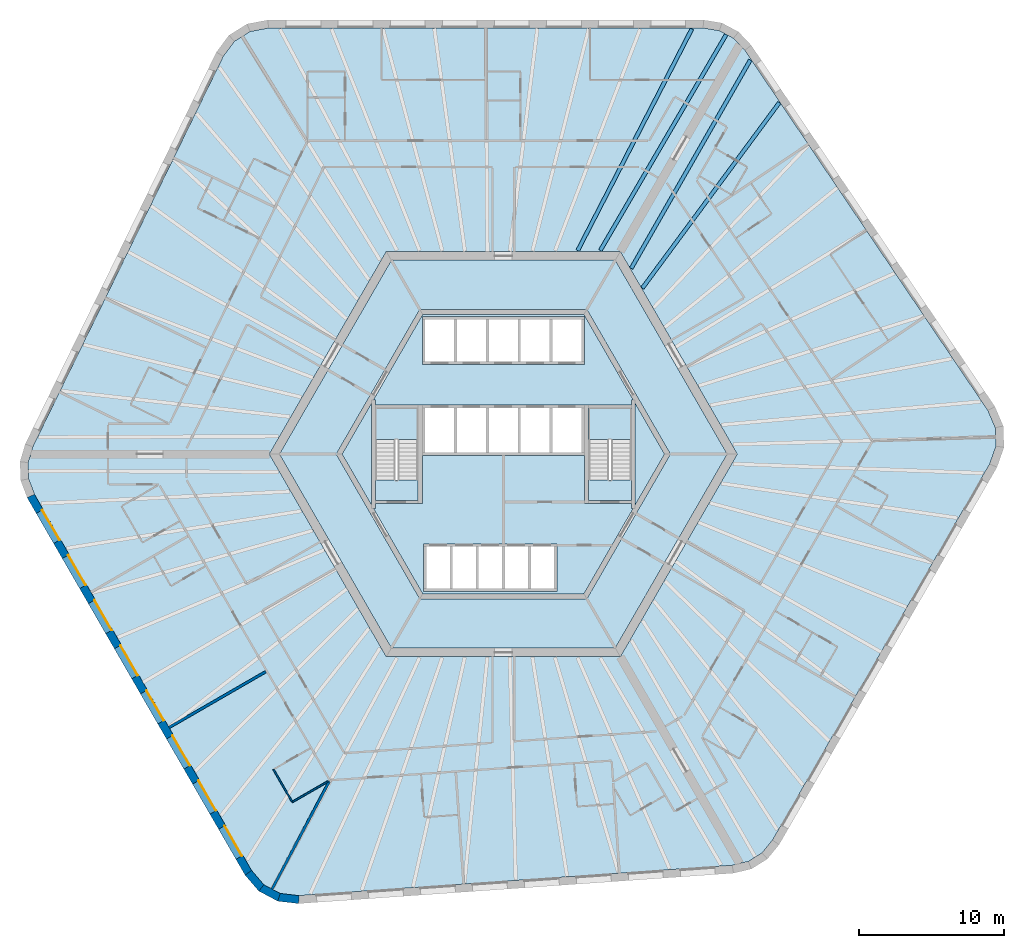
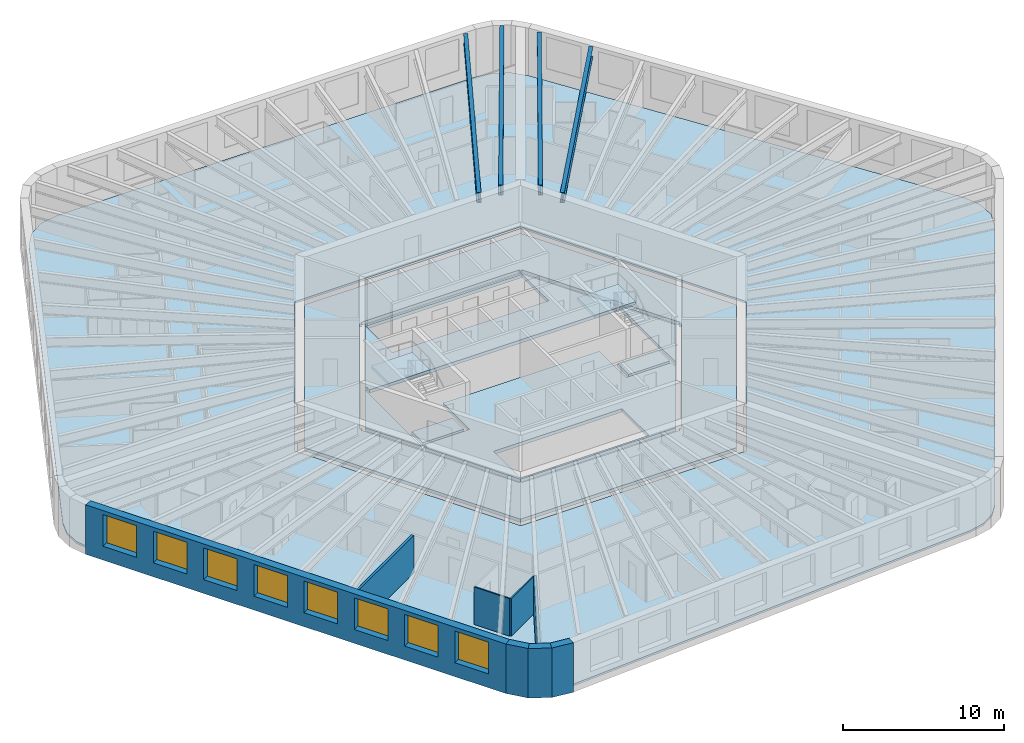
# One storey, part 2 of 12: 10 slabs, 8 walls, 8 windows, 4 beams, 8 openings, 2 elements without a shape of their own.
"""IFC4 building model written with IfcOpenShell, lengths in metres."""

from ifc_helpers import new_model, si_unit, direction, frame, frame_2d, origin, origin_2d, place, context, subcontext, project, spatial, polyline, rectangle, i_section, outline, extrude, material, layer, layer_set, material_profile, profile_set, type_object, element, fill, aggregate, save


model = new_model("IFC4")

# Units and contexts
model_context = context("Model", 3, precision=1e-05, world=origin(), true_north=direction((0.0, 1.0)))
body_context = subcontext(model_context, "Body", "Model", "MODEL_VIEW")
ifc_project = project(units=[si_unit("LENGTHUNIT", "METRE"), si_unit("AREAUNIT", "SQUARE_METRE"), si_unit("VOLUMEUNIT", "CUBIC_METRE"), si_unit("PLANEANGLEUNIT", "RADIAN"), si_unit("MASSUNIT", "GRAM", prefix="KILO")], contexts=[model_context])

# Site, building, storey
site_placement = place(None, origin())
site = spatial("IfcSite", under=ifc_project, at=site_placement, CompositionType="ELEMENT")
building_placement = place(site_placement, origin())
building = spatial("IfcBuilding", under=site, at=building_placement, Name="Tarnside Tower", CompositionType="ELEMENT")
storey_placement = place(building_placement, frame((0.0, 0.0, 142.800048828125)))
storey = spatial("IfcBuildingStorey", under=building, at=storey_placement, Name="L33", CompositionType="ELEMENT", Elevation=142.800048828125)

# Beams
ifc_material_1 = material(Name="Steel S355", Category="steel")
ifc_material_profile = material_profile(ifc_material_1, i_section(OverallWidth=0.2666015625, OverallDepth=0.76220703125, WebThickness=0.014404296875, FlangeThickness=0.021484375, FilletRadius=0.0166015625, at=origin_2d()), Name="UB 762x267x173")
ifc_profile_set = profile_set([ifc_material_profile], Name="Steel S355")
beam_type = type_object("IfcBeamType", Name="Floor beam UB 762x267x173", PredefinedType="BEAM", material=ifc_profile_set)
beam_1_placement = place(storey_placement, frame((13.0283203125, 29.37890625, 3.21875), z_axis=(-0.457973226459, -0.888965985765, 0.0), x_axis=(0.888965985765, -0.457973226459, 0.0)))
element("IfcBeam", 1, at=beam_1_placement, inside=storey, type_object=beam_type, Name="Floor beam F1.01", PredefinedType="BEAM", context=body_context, shape_type="SweptSolid", body=[
    extrude(i_section(OverallWidth=0.2666015625, OverallDepth=0.76220703125, WebThickness=0.014404296875, FlangeThickness=0.021484375, FilletRadius=0.0166015625, at=origin_2d()), origin(), (0.0, 0.0, 1.0), 17.219970703125),
])
beam_2_placement = place(storey_placement, frame((19.072021484375, 24.28857421875, 3.21875), z_axis=(-0.593986893499, -0.804474717037, 0.0), x_axis=(0.804474717037, -0.593986893499, 0.0)))
element("IfcBeam", 2, at=beam_2_placement, inside=storey, type_object=beam_type, Name="Floor beam F6.08", PredefinedType="BEAM", context=body_context, shape_type="SweptSolid", body=[
    extrude(i_section(OverallWidth=0.2666015625, OverallDepth=0.76220703125, WebThickness=0.014404296875, FlangeThickness=0.021484375, FilletRadius=0.0166015625, at=origin_2d()), origin(), (0.0, 0.0, 1.0), 15.934326171875),
])
beam_3_placement = place(storey_placement, frame((17.066162109375, 27.235107421875, 3.21875), z_axis=(-0.49622611841, -0.868193319145, 0.0), x_axis=(0.868193319145, -0.49622611841, 0.0)))
element("IfcBeam", 3, at=beam_3_placement, inside=storey, type_object=beam_type, Name="Floor beam F6.09", PredefinedType="BEAM", context=body_context, shape_type="SweptSolid", body=[
    extrude(i_section(OverallWidth=0.2666015625, OverallDepth=0.76220703125, WebThickness=0.014404296875, FlangeThickness=0.021484375, FilletRadius=0.0166015625, at=origin_2d()), origin(), (0.0, 0.0, 1.0), 16.586669921875),
])
beam_4_placement = place(storey_placement, frame((15.4013671875, 28.990478515625, 3.21875), z_axis=(-0.503858723096, -0.863786077198, 0.0), x_axis=(0.863786077198, -0.503858723096, 0.0)))
element("IfcBeam", 4, at=beam_4_placement, inside=storey, type_object=beam_type, Name="Floor beam C6", PredefinedType="BEAM", context=body_context, shape_type="SweptSolid", body=[
    extrude(i_section(OverallWidth=0.2666015625, OverallDepth=0.76220703125, WebThickness=0.014404296875, FlangeThickness=0.021484375, FilletRadius=0.0166015625, at=origin_2d()), origin(), (0.0, 0.0, 1.0), 17.2744140625),
])

# Slabs
ifc_material_2 = material(Name="Concrete C35/45", Category="concrete")
ifc_layer_1 = layer(ifc_material_2, 0.14990234375)
ifc_layer_set_1 = layer_set([ifc_layer_1], Name="Composite floor slab 150")
slab_type_1 = type_object("IfcSlabType", Name="Composite floor slab 150", PredefinedType="FLOOR", material=ifc_layer_set_1)
slab_1_placement = place(storey_placement, frame((0.0, 0.0, -0.150146484375)))
element("IfcSlab", 5, at=slab_1_placement, inside=storey, type_object=slab_type_1, Name="Floor slab L33", PredefinedType="FLOOR", context=body_context, shape_type="SweptSolid", body=[
    extrude(outline(polyline([(14.927490234375, 29.264892578125), (15.91455078125, 28.740234375), (16.697265625, 27.91064453125), (33.48583984375, 3.0205078125), (34.001220703125, 1.825439453125), (34.0458984375, 0.55078125), (33.614990234375, -0.67724609375), (18.603515625, -26.677978515625), (17.880615234375, -27.56005859375), (16.9326171875, -28.15234375), (15.82275390625, -28.41552734375), (-14.127197265625, -30.509765625), (-15.419921875, -30.358642578125), (-16.5458984375, -29.760009765625), (-17.39404296875, -28.772705078125), (-32.405517578125, -2.772216796875), (-32.80810546875, -1.704833984375), (-32.846923828125, -0.587890625), (-32.52001953125, 0.5048828125), (-19.358642578125, 27.4892578125), (-18.58154296875, 28.533203125), (-17.5, 29.208984375), (-16.220947265625, 29.449951171875), (13.802001953125, 29.449951171875), (14.927490234375, 29.264892578125)]), holes=[polyline([(-16.165771484375, 0.0), (-8.0830078125, -14.0), (8.0830078125, -14.0), (16.165771484375, 0.0), (8.0830078125, 14.0), (-8.0830078125, 14.0), (-16.165771484375, 0.0)])]), origin(), (0.0, 0.0, 1.0), 0.150146484375),
])
ifc_material_3 = material(Name="Concrete C40/50", Category="concrete")
ifc_layer_2 = layer(ifc_material_3, 0.25)
ifc_layer_set_2 = layer_set([ifc_layer_2], Name="Core slab C40/50")
slab_type_2 = type_object("IfcSlabType", Name="Core slab C40/50", PredefinedType="FLOOR", material=ifc_layer_set_2)
slab_2_placement = place(storey_placement, frame((0.0, 0.0, -0.25)))
element("IfcSlab", 6, at=slab_2_placement, inside=storey, type_object=slab_type_2, Name="L33 core floor slab 1", PredefinedType="FLOOR", context=body_context, shape_type="SweptSolid", body=[
    extrude(outline(polyline([(-15.472900390625, 0.0), (-7.736572265625, 13.39990234375), (7.736572265625, 13.39990234375), (15.472900390625, 0.0), (7.736572265625, -13.39990234375), (-7.736572265625, -13.39990234375), (-15.472900390625, 0.0)]), holes=[polyline([(5.823974609375, -9.91259765625), (11.49658203125, -0.08740234375), (11.344970703125, 0.0), (11.49658203125, 0.08740234375), (5.823974609375, 9.91259765625), (5.672607421875, 9.824951171875), (5.672607421875, 10.0), (-5.672607421875, 10.0), (-5.672607421875, 9.824951171875), (-5.823974609375, 9.91259765625), (-11.49658203125, 0.08740234375), (-11.344970703125, 0.0), (-11.49658203125, -0.08740234375), (-5.823974609375, -9.91259765625), (-5.672607421875, -9.824951171875), (-5.672607421875, -10.0), (5.672607421875, -10.0), (5.672607421875, -9.824951171875), (5.823974609375, -9.91259765625)])]), origin(), (0.0, 0.0, 1.0), 0.25),
])
slab_3_placement = place(storey_placement, frame((0.0, 0.0, -0.25)))
element("IfcSlab", 7, at=slab_3_placement, inside=storey, type_object=slab_type_2, Name="L33 core floor slab 2", PredefinedType="FLOOR", context=body_context, shape_type="SweptSolid", body=[
    extrude(outline(polyline([(-8.97509765625, 3.7548828125), (-5.5712890625, 9.64990234375), (5.5712890625, 9.64990234375), (8.97509765625, 3.7548828125), (8.85009765625, 3.7548828125), (8.85009765625, 3.39990234375), (5.89990234375, 3.39990234375), (5.60009765625, 3.39990234375), (5.60009765625, 3.39990234375), (-5.60009765625, 3.39990234375), (-5.89990234375, 3.39990234375), (-8.85009765625, 3.39990234375), (-8.85009765625, 3.7548828125), (-8.97509765625, 3.7548828125)]), holes=[polyline([(-5.60009765625, 6.199951171875), (5.60009765625, 6.199951171875), (5.60009765625, 6.39990234375), (5.60009765625, 9.300048828125), (5.60009765625, 9.5), (-5.60009765625, 9.5), (-5.60009765625, 9.300048828125), (-5.60009765625, 6.39990234375), (-5.60009765625, 6.199951171875)])]), origin(), (0.0, 0.0, 1.0), 0.25),
])
slab_4_placement = place(storey_placement, frame((0.0, 0.0, -0.25)))
element("IfcSlab", 8, at=slab_4_placement, inside=storey, type_object=slab_type_2, Name="L33 core floor slab 3", PredefinedType="FLOOR", context=body_context, shape_type="SweptSolid", body=[
    extrude(outline(polyline([(5.60009765625, -3.39990234375), (5.89990234375, -3.39990234375), (8.85009765625, -3.39990234375), (8.85009765625, -3.7548828125), (8.97509765625, -3.7548828125), (5.5712890625, -9.64990234375), (-5.5712890625, -9.64990234375), (-8.97509765625, -3.7548828125), (-8.85009765625, -3.7548828125), (-8.85009765625, -3.39990234375), (-5.89990234375, -3.39990234375), (-5.60009765625, -3.39990234375), (-5.60009765625, -0.10009765625), (5.60009765625, -0.10009765625), (5.60009765625, -3.39990234375)]), holes=[polyline([(-5.5, -9.300048828125), (-5.5, -9.5), (3.699951171875, -9.5), (3.699951171875, -9.300048828125), (3.699951171875, -6.39990234375), (3.699951171875, -6.199951171875), (-5.5, -6.199951171875), (-5.5, -6.39990234375), (-5.5, -9.300048828125)])]), origin(), (0.0, 0.0, 1.0), 0.25),
])
slab_5_placement = place(storey_placement, frame((0.0, 0.0, -0.25)))
element("IfcSlab", 9, at=slab_5_placement, inside=storey, type_object=slab_type_2, Name="L33 core floor slab 4", PredefinedType="FLOOR", context=body_context, shape_type="SweptSolid", body=[
    extrude(outline(polyline([(-11.142822265625, 0.0), (-9.10009765625, 3.538330078125), (-9.10009765625, -3.538330078125), (-11.142822265625, 0.0)])), origin(), (0.0, 0.0, 1.0), 0.25),
])
slab_6_placement = place(storey_placement, frame((0.0, 0.0, -0.25)))
element("IfcSlab", 10, at=slab_6_placement, inside=storey, type_object=slab_type_2, Name="L33 core floor slab 5", PredefinedType="FLOOR", context=body_context, shape_type="SweptSolid", body=[
    extrude(outline(polyline([(-8.85009765625, -1.800048828125), (-5.89990234375, -1.800048828125), (-5.89990234375, -3.199951171875), (-8.85009765625, -3.199951171875), (-8.85009765625, -1.800048828125)])), origin(), (0.0, 0.0, 1.0), 0.25),
])
slab_7_placement = place(storey_placement, frame((0.0, 0.0, -0.25)))
element("IfcSlab", 11, at=slab_7_placement, inside=storey, type_object=slab_type_2, Name="L33 core floor slab 6", PredefinedType="FLOOR", context=body_context, shape_type="SweptSolid", body=[
    extrude(outline(polyline([(5.89990234375, -3.199951171875), (5.89990234375, -1.800048828125), (8.85009765625, -1.800048828125), (8.85009765625, -3.199951171875), (5.89990234375, -3.199951171875)])), origin(), (0.0, 0.0, 1.0), 0.25),
])
slab_8_placement = place(storey_placement, frame((0.0, 0.0, -0.25)))
element("IfcSlab", 12, at=slab_8_placement, inside=storey, type_object=slab_type_2, Name="L33 core floor slab 7", PredefinedType="FLOOR", context=body_context, shape_type="SweptSolid", body=[
    extrude(outline(polyline([(9.10009765625, -3.538330078125), (9.10009765625, 3.538330078125), (11.142822265625, 0.0), (9.10009765625, -3.538330078125)])), origin(), (0.0, 0.0, 1.0), 0.25),
])

# Stair, slab
stair_type = type_object("IfcStairType", Name="Exit stair 1400 clear", PredefinedType="HALF_TURN_STAIR", material=ifc_material_3)
stair_1_placement = place(storey_placement, origin())
stair_1 = element("IfcStair", 13, at=stair_1_placement, inside=storey, type_object=stair_type, Name="L33 Exit stair 1", PredefinedType="HALF_TURN_STAIR")
ifc_layer_3 = layer(ifc_material_3, 0.199951171875)
ifc_layer_set_3 = layer_set([ifc_layer_3], Name="Stair landing 200 C40/50")
slab_type_3 = type_object("IfcSlabType", Name="Stair landing 200 C40/50", PredefinedType="LANDING", material=ifc_layer_set_3)
slab_9_placement = place(storey_placement, frame((0.0, 0.0, 1.75)))
slab_9 = element("IfcSlab", 14, at=slab_9_placement, type_object=slab_type_3, Name="ST1 landing 1", PredefinedType="LANDING", context=body_context, shape_type="SweptSolid", body=[
    extrude(outline(polyline([(8.85009765625, 1.0), (8.85009765625, 3.199951171875), (5.89990234375, 3.199951171875), (5.89990234375, 1.0), (8.85009765625, 1.0)])), origin(), (0.0, 0.0, 1.0), 0.199951171875),
])
aggregate(stair_1, [slab_9])

stair_2_placement = place(storey_placement, origin())
stair_2 = element("IfcStair", 15, at=stair_2_placement, inside=storey, type_object=stair_type, Name="L33 Exit stair 2", PredefinedType="HALF_TURN_STAIR")
slab_10_placement = place(storey_placement, frame((0.0, 0.0, 1.75)))
slab_10 = element("IfcSlab", 16, at=slab_10_placement, type_object=slab_type_3, Name="ST2 landing 1", PredefinedType="LANDING", context=body_context, shape_type="SweptSolid", body=[
    extrude(outline(polyline([(-5.89990234375, 1.0), (-5.89990234375, 3.199951171875), (-8.85009765625, 3.199951171875), (-8.85009765625, 1.0), (-5.89990234375, 1.0)])), origin(), (0.0, 0.0, 1.0), 0.199951171875),
])
aggregate(stair_2, [slab_10])

# Walls
ifc_material_4 = material(Name="Gypsum board partition on steel studs", Category="steel")
ifc_layer_4 = layer(ifc_material_4, 0.10009765625)
ifc_layer_set_4 = layer_set([ifc_layer_4], Name="Bathroom wall 100")
wall_type_1 = type_object("IfcWallType", Name="Bathroom wall 100", PredefinedType="PARTITIONING", material=ifc_layer_set_4)
wall_1_placement = place(storey_placement, frame((-12.13330078125, -22.62646484375, 0.0), z_axis=(0.0, 0.0, 1.0), x_axis=(-0.866014564827, -0.500018773155, 0.0)))
element("IfcWall", 17, at=wall_1_placement, inside=storey, type_object=wall_type_1, Name="Bathroom wall 10117", PredefinedType="PARTITIONING", context=body_context, shape_type="SweptSolid", body=[
    extrude(rectangle(XDim=2.8291015625, YDim=0.10009765625, at=frame_2d((1.41455078125, 0.0))), origin(), (0.0, 0.0, 1.0), 2.837646484375),
])
wall_2_placement = place(storey_placement, frame((-14.6083984375, -23.99755859375, 0.0), z_axis=(0.0, 0.0, 1.0), x_axis=(-0.499990435942, 0.866030925526, 0.0)))
element("IfcWall", 18, at=wall_2_placement, inside=storey, type_object=wall_type_1, Name="Bathroom wall 10118", PredefinedType="PARTITIONING", context=body_context, shape_type="SweptSolid", body=[
    extrude(rectangle(XDim=2.5498046875, YDim=0.10009765625, at=frame_2d((1.27490234375, 0.0))), origin(), (0.0, 0.0, 1.0), 2.837646484375),
])
ifc_layer_5 = layer(ifc_material_4, 0.179931640625)
ifc_layer_set_5 = layer_set([ifc_layer_5], Name="Demising wall 180 EI 60")
wall_type_2 = type_object("IfcWallType", Name="Demising wall 180 EI 60", PredefinedType="PARTITIONING", material=ifc_layer_set_5)
wall_3_placement = place(storey_placement, frame((-23.098876953125, -18.8916015625, 0.0), z_axis=(0.0, 0.0, 1.0), x_axis=(0.866019273868, 0.500010617176, 0.0)))
element("IfcWall", 19, at=wall_3_placement, inside=storey, type_object=wall_type_2, Name="Demising wall 10116", PredefinedType="PARTITIONING", context=body_context, shape_type="SweptSolid", body=[
    extrude(rectangle(XDim=7.724853515625, YDim=0.179931640625, at=frame_2d((3.8623046875, 0.0))), origin(), (0.0, 0.0, 1.0), 2.837646484375),
])
wall_4_placement = place(storey_placement, frame((-15.98291015625, -30.059326171875, 0.0), z_axis=(0.0, 0.0, 1.0), x_axis=(0.469475065364, 0.882945730496, 0.0)))
element("IfcWall", 20, at=wall_4_placement, inside=storey, type_object=wall_type_2, Name="Demising wall 10120", PredefinedType="PARTITIONING", context=body_context, shape_type="SweptSolid", body=[
    extrude(rectangle(XDim=8.426513671875, YDim=0.179931640625, at=frame_2d((4.21337890625, 0.0))), origin(), (0.0, 0.0, 1.0), 2.837646484375),
])

# Wall, openings, windows
ifc_material_5 = material(Name="Facing brick", Category="masonry")
ifc_layer_6 = layer(ifc_material_5, 0.10205078125)
ifc_material_6 = material(Name="Concrete C60/75 precast", Category="concrete")
ifc_layer_7 = layer(ifc_material_6, 0.347900390625)
ifc_material_7 = material(Name="Mineral wool insulation")
ifc_layer_8 = layer(ifc_material_7, 0.10009765625)
ifc_layer_set_6 = layer_set([ifc_layer_6, ifc_layer_7, ifc_layer_8], Name="Tube wall 550 brick faced")
wall_type_3 = type_object("IfcWallType", Name="Tube wall 550 brick faced", PredefinedType="SOLIDWALL", material=ifc_layer_set_6)
wall_5_placement = place(storey_placement, frame((-32.65478515625, -2.89013671875, -0.150146484375), z_axis=(0.0, 0.0, 1.0), x_axis=(0.499997711317, -0.866026725152, 0.0)))
wall_5 = element("IfcWall", 21, at=wall_5_placement, inside=storey, type_object=wall_type_3, Name="Tube wall L33 F3 flush 08", PredefinedType="SOLIDWALL", context=body_context, shape_type="SweptSolid", body=[
    extrude(outline(polyline([(-0.0224609375, -0.27490234375), (30.0966796875, -0.27490234375), (30.04541015625, 0.27490234375), (0.0224609375, 0.27490234375), (-0.0224609375, -0.27490234375)])), origin(), (0.0, 0.0, 1.0), 3.75),
])
opening_1_placement = place(wall_5_placement, frame((1.235595703125, 0.0, 1.050048828125)))
opening_1 = element("IfcOpeningElement", 22, at=opening_1_placement, cuts=wall_5, Name="Opening WH", PredefinedType="OPENING", context=body_context, shape_type="SweptSolid", body=[
    extrude(rectangle(XDim=2.39990234375, YDim=2.39990234375, at=frame_2d((1.199951171875, 1.199951171875))), frame((0.0, 0.28515625, 0.0), z_axis=(0.0, -1.0, 0.0), x_axis=(1.0, 0.0, 0.0)), (0.0, 0.0, 1.0), 0.570068359375),
])
opening_2_placement = place(wall_5_placement, frame((4.83544921875, 0.0, 1.050048828125)))
opening_2 = element("IfcOpeningElement", 23, at=opening_2_placement, cuts=wall_5, Name="Opening WH", PredefinedType="OPENING", context=body_context, shape_type="SweptSolid", body=[
    extrude(rectangle(XDim=2.39990234375, YDim=2.39990234375, at=frame_2d((1.199951171875, 1.199951171875))), frame((0.0, 0.28515625, 0.0), z_axis=(0.0, -1.0, 0.0), x_axis=(1.0, 0.0, 0.0)), (0.0, 0.0, 1.0), 0.570068359375),
])
opening_3_placement = place(wall_5_placement, frame((8.435546875, 0.0, 1.050048828125)))
opening_3 = element("IfcOpeningElement", 24, at=opening_3_placement, cuts=wall_5, Name="Opening WH", PredefinedType="OPENING", context=body_context, shape_type="SweptSolid", body=[
    extrude(rectangle(XDim=2.39990234375, YDim=2.39990234375, at=frame_2d((1.199951171875, 1.199951171875))), frame((0.0, 0.28515625, 0.0), z_axis=(0.0, -1.0, 0.0), x_axis=(1.0, 0.0, 0.0)), (0.0, 0.0, 1.0), 0.570068359375),
])
opening_4_placement = place(wall_5_placement, frame((12.035400390625, 0.0, 1.050048828125)))
opening_4 = element("IfcOpeningElement", 25, at=opening_4_placement, cuts=wall_5, Name="Opening WH", PredefinedType="OPENING", context=body_context, shape_type="SweptSolid", body=[
    extrude(rectangle(XDim=2.39990234375, YDim=2.39990234375, at=frame_2d((1.199951171875, 1.199951171875))), frame((0.0, 0.28515625, 0.0), z_axis=(0.0, -1.0, 0.0), x_axis=(1.0, 0.0, 0.0)), (0.0, 0.0, 1.0), 0.570068359375),
])
opening_5_placement = place(wall_5_placement, frame((15.635498046875, 0.0, 1.050048828125)))
opening_5 = element("IfcOpeningElement", 26, at=opening_5_placement, cuts=wall_5, Name="Opening WH", PredefinedType="OPENING", context=body_context, shape_type="SweptSolid", body=[
    extrude(rectangle(XDim=2.39990234375, YDim=2.39990234375, at=frame_2d((1.199951171875, 1.199951171875))), frame((0.0, 0.28515625, 0.0), z_axis=(0.0, -1.0, 0.0), x_axis=(1.0, 0.0, 0.0)), (0.0, 0.0, 1.0), 0.570068359375),
])
opening_6_placement = place(wall_5_placement, frame((19.235595703125, 0.0, 1.050048828125)))
opening_6 = element("IfcOpeningElement", 27, at=opening_6_placement, cuts=wall_5, Name="Opening WH", PredefinedType="OPENING", context=body_context, shape_type="SweptSolid", body=[
    extrude(rectangle(XDim=2.39990234375, YDim=2.39990234375, at=frame_2d((1.199951171875, 1.199951171875))), frame((0.0, 0.28515625, 0.0), z_axis=(0.0, -1.0, 0.0), x_axis=(1.0, 0.0, 0.0)), (0.0, 0.0, 1.0), 0.570068359375),
])
opening_7_placement = place(wall_5_placement, frame((22.83544921875, 0.0, 1.050048828125)))
opening_7 = element("IfcOpeningElement", 28, at=opening_7_placement, cuts=wall_5, Name="Opening WH", PredefinedType="OPENING", context=body_context, shape_type="SweptSolid", body=[
    extrude(rectangle(XDim=2.39990234375, YDim=2.39990234375, at=frame_2d((1.199951171875, 1.199951171875))), frame((0.0, 0.28515625, 0.0), z_axis=(0.0, -1.0, 0.0), x_axis=(1.0, 0.0, 0.0)), (0.0, 0.0, 1.0), 0.570068359375),
])
opening_8_placement = place(wall_5_placement, frame((26.435546875, 0.0, 1.050048828125)))
opening_8 = element("IfcOpeningElement", 29, at=opening_8_placement, cuts=wall_5, Name="Opening WH", PredefinedType="OPENING", context=body_context, shape_type="SweptSolid", body=[
    extrude(rectangle(XDim=2.39990234375, YDim=2.39990234375, at=frame_2d((1.199951171875, 1.199951171875))), frame((0.0, 0.28515625, 0.0), z_axis=(0.0, -1.0, 0.0), x_axis=(1.0, 0.0, 0.0)), (0.0, 0.0, 1.0), 0.570068359375),
])
ifc_material_8 = material(Name="Aluminium-framed double glazing", Category="aluminium")
window_type = type_object("IfcWindowType", Name="Hotel window 2400 x 2400", PartitioningType="DOUBLE_PANEL_VERTICAL", PredefinedType="WINDOW", material=ifc_material_8)
window_1_placement = place(opening_1_placement, frame((0.0, 0.205078125, 0.0)))
window_1 = element("IfcWindow", 30, at=window_1_placement, inside=storey, type_object=window_type, Name="E.WN.L33.F3.00", OverallHeight=2.39990234375, OverallWidth=2.39990234375, PartitioningType="DOUBLE_PANEL_VERTICAL", PredefinedType="WINDOW", context=body_context, shape_type="SweptSolid", body=[
    extrude(rectangle(XDim=2.39990234375, YDim=2.39990234375, at=frame_2d((1.199951171875, 1.199951171875))), frame((0.0, 0.030029296875, 0.0), z_axis=(0.0, -1.0, 0.0), x_axis=(1.0, 0.0, 0.0)), (0.0, 0.0, 1.0), 0.06005859375),
])
fill(opening_1, window_1)
window_2_placement = place(opening_2_placement, frame((0.0, 0.205078125, 0.0)))
window_2 = element("IfcWindow", 31, at=window_2_placement, inside=storey, type_object=window_type, Name="E.WN.L33.F3.01", OverallHeight=2.39990234375, OverallWidth=2.39990234375, PartitioningType="DOUBLE_PANEL_VERTICAL", PredefinedType="WINDOW", context=body_context, shape_type="SweptSolid", body=[
    extrude(rectangle(XDim=2.39990234375, YDim=2.39990234375, at=frame_2d((1.199951171875, 1.199951171875))), frame((0.0, 0.030029296875, 0.0), z_axis=(0.0, -1.0, 0.0), x_axis=(1.0, 0.0, 0.0)), (0.0, 0.0, 1.0), 0.06005859375),
])
fill(opening_2, window_2)
window_3_placement = place(opening_3_placement, frame((0.0, 0.205078125, 0.0)))
window_3 = element("IfcWindow", 32, at=window_3_placement, inside=storey, type_object=window_type, Name="E.WN.L33.F3.02", OverallHeight=2.39990234375, OverallWidth=2.39990234375, PartitioningType="DOUBLE_PANEL_VERTICAL", PredefinedType="WINDOW", context=body_context, shape_type="SweptSolid", body=[
    extrude(rectangle(XDim=2.39990234375, YDim=2.39990234375, at=frame_2d((1.199951171875, 1.199951171875))), frame((0.0, 0.030029296875, 0.0), z_axis=(0.0, -1.0, 0.0), x_axis=(1.0, 0.0, 0.0)), (0.0, 0.0, 1.0), 0.06005859375),
])
fill(opening_3, window_3)
window_4_placement = place(opening_4_placement, frame((0.0, 0.205078125, 0.0)))
window_4 = element("IfcWindow", 33, at=window_4_placement, inside=storey, type_object=window_type, Name="E.WN.L33.F3.03", OverallHeight=2.39990234375, OverallWidth=2.39990234375, PartitioningType="DOUBLE_PANEL_VERTICAL", PredefinedType="WINDOW", context=body_context, shape_type="SweptSolid", body=[
    extrude(rectangle(XDim=2.39990234375, YDim=2.39990234375, at=frame_2d((1.199951171875, 1.199951171875))), frame((0.0, 0.030029296875, 0.0), z_axis=(0.0, -1.0, 0.0), x_axis=(1.0, 0.0, 0.0)), (0.0, 0.0, 1.0), 0.06005859375),
])
fill(opening_4, window_4)
window_5_placement = place(opening_5_placement, frame((0.0, 0.205078125, 0.0)))
window_5 = element("IfcWindow", 34, at=window_5_placement, inside=storey, type_object=window_type, Name="E.WN.L33.F3.04", OverallHeight=2.39990234375, OverallWidth=2.39990234375, PartitioningType="DOUBLE_PANEL_VERTICAL", PredefinedType="WINDOW", context=body_context, shape_type="SweptSolid", body=[
    extrude(rectangle(XDim=2.39990234375, YDim=2.39990234375, at=frame_2d((1.199951171875, 1.199951171875))), frame((0.0, 0.030029296875, 0.0), z_axis=(0.0, -1.0, 0.0), x_axis=(1.0, 0.0, 0.0)), (0.0, 0.0, 1.0), 0.06005859375),
])
fill(opening_5, window_5)
window_6_placement = place(opening_6_placement, frame((0.0, 0.205078125, 0.0)))
window_6 = element("IfcWindow", 35, at=window_6_placement, inside=storey, type_object=window_type, Name="E.WN.L33.F3.05", OverallHeight=2.39990234375, OverallWidth=2.39990234375, PartitioningType="DOUBLE_PANEL_VERTICAL", PredefinedType="WINDOW", context=body_context, shape_type="SweptSolid", body=[
    extrude(rectangle(XDim=2.39990234375, YDim=2.39990234375, at=frame_2d((1.199951171875, 1.199951171875))), frame((0.0, 0.030029296875, 0.0), z_axis=(0.0, -1.0, 0.0), x_axis=(1.0, 0.0, 0.0)), (0.0, 0.0, 1.0), 0.06005859375),
])
fill(opening_6, window_6)
window_7_placement = place(opening_7_placement, frame((0.0, 0.205078125, 0.0)))
window_7 = element("IfcWindow", 36, at=window_7_placement, inside=storey, type_object=window_type, Name="E.WN.L33.F3.06", OverallHeight=2.39990234375, OverallWidth=2.39990234375, PartitioningType="DOUBLE_PANEL_VERTICAL", PredefinedType="WINDOW", context=body_context, shape_type="SweptSolid", body=[
    extrude(rectangle(XDim=2.39990234375, YDim=2.39990234375, at=frame_2d((1.199951171875, 1.199951171875))), frame((0.0, 0.030029296875, 0.0), z_axis=(0.0, -1.0, 0.0), x_axis=(1.0, 0.0, 0.0)), (0.0, 0.0, 1.0), 0.06005859375),
])
fill(opening_7, window_7)
window_8_placement = place(opening_8_placement, frame((0.0, 0.205078125, 0.0)))
window_8 = element("IfcWindow", 37, at=window_8_placement, inside=storey, type_object=window_type, Name="E.WN.L33.F3.07", OverallHeight=2.39990234375, OverallWidth=2.39990234375, PartitioningType="DOUBLE_PANEL_VERTICAL", PredefinedType="WINDOW", context=body_context, shape_type="SweptSolid", body=[
    extrude(rectangle(XDim=2.39990234375, YDim=2.39990234375, at=frame_2d((1.199951171875, 1.199951171875))), frame((0.0, 0.030029296875, 0.0), z_axis=(0.0, -1.0, 0.0), x_axis=(1.0, 0.0, 0.0)), (0.0, 0.0, 1.0), 0.06005859375),
])
fill(opening_8, window_8)

# Walls
wall_6_placement = place(storey_placement, frame((-17.619384765625, -28.932373046875, -0.150146484375), z_axis=(0.0, 0.0, 1.0), x_axis=(0.651621950847, -0.758543890078, 0.0)))
element("IfcWall", 38, at=wall_6_placement, inside=storey, type_object=wall_type_3, Name="Tube wall L33 F3 chord 09", PredefinedType="SOLIDWALL", context=body_context, shape_type="SweptSolid", body=[
    extrude(outline(polyline([(-0.025634765625, -0.27490234375), (1.430908203125, -0.27490234375), (1.327392578125, 0.27490234375), (0.025634765625, 0.27490234375), (-0.025634765625, -0.27490234375)])), origin(), (0.0, 0.0, 1.0), 3.75),
])
wall_7_placement = place(storey_placement, frame((-16.720703125, -29.978515625, -0.150146484375), z_axis=(0.0, 0.0, 1.0), x_axis=(0.882994189209, -0.469383917304, 0.0)))
element("IfcWall", 39, at=wall_7_placement, inside=storey, type_object=wall_type_3, Name="Tube wall L33 F3 chord 10", PredefinedType="SOLIDWALL", context=body_context, shape_type="SweptSolid", body=[
    extrude(outline(polyline([(-0.0517578125, -0.27490234375), (1.4306640625, -0.27490234375), (1.3271484375, 0.27490234375), (0.0517578125, 0.27490234375), (-0.0517578125, -0.27490234375)])), origin(), (0.0, 0.0, 1.0), 3.75),
])
wall_8_placement = place(storey_placement, frame((-15.503173828125, -30.625732421875, -0.150146484375), z_axis=(0.0, 0.0, 1.0), x_axis=(0.993232537394, -0.11614269956, 0.0)))
element("IfcWall", 40, at=wall_8_placement, inside=storey, type_object=wall_type_3, Name="Tube wall L33 F3 chord 11", PredefinedType="SOLIDWALL", context=body_context, shape_type="SweptSolid", body=[
    extrude(outline(polyline([(-0.0517578125, -0.27490234375), (1.404541015625, -0.27490234375), (1.353271484375, 0.27490234375), (0.0517578125, 0.27490234375), (-0.0517578125, -0.27490234375)])), origin(), (0.0, 0.0, 1.0), 3.75),
])

save(model, "model.ifc")
